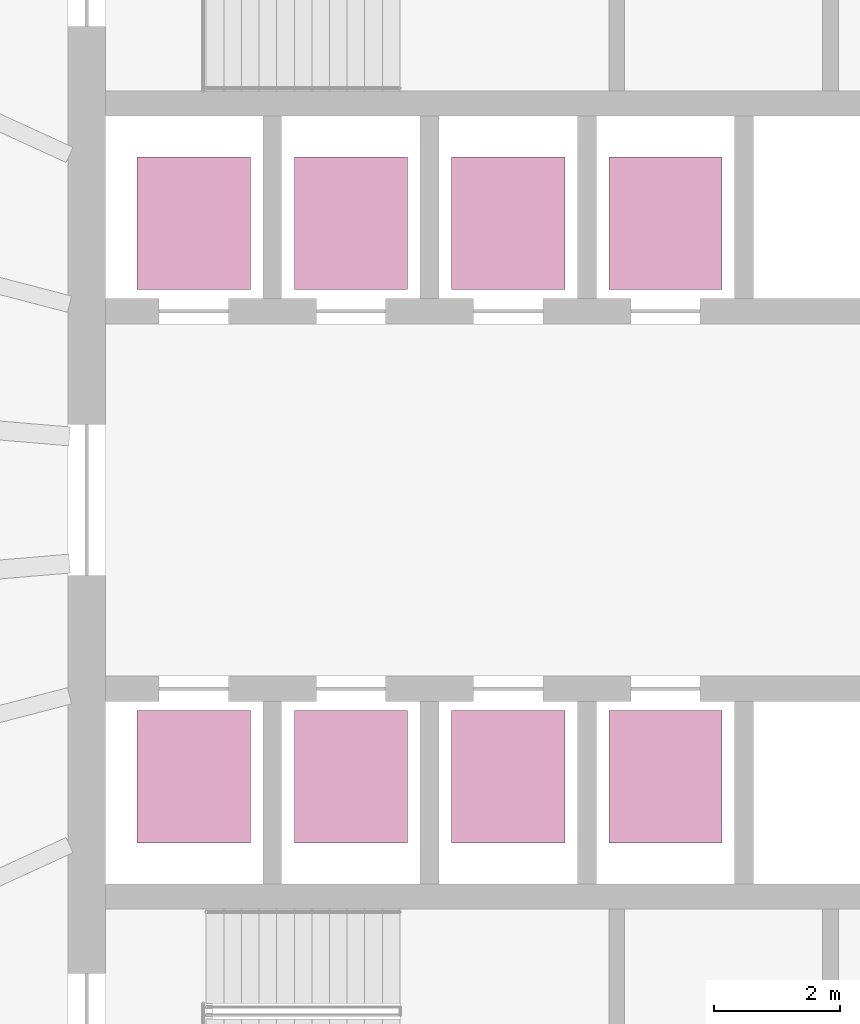
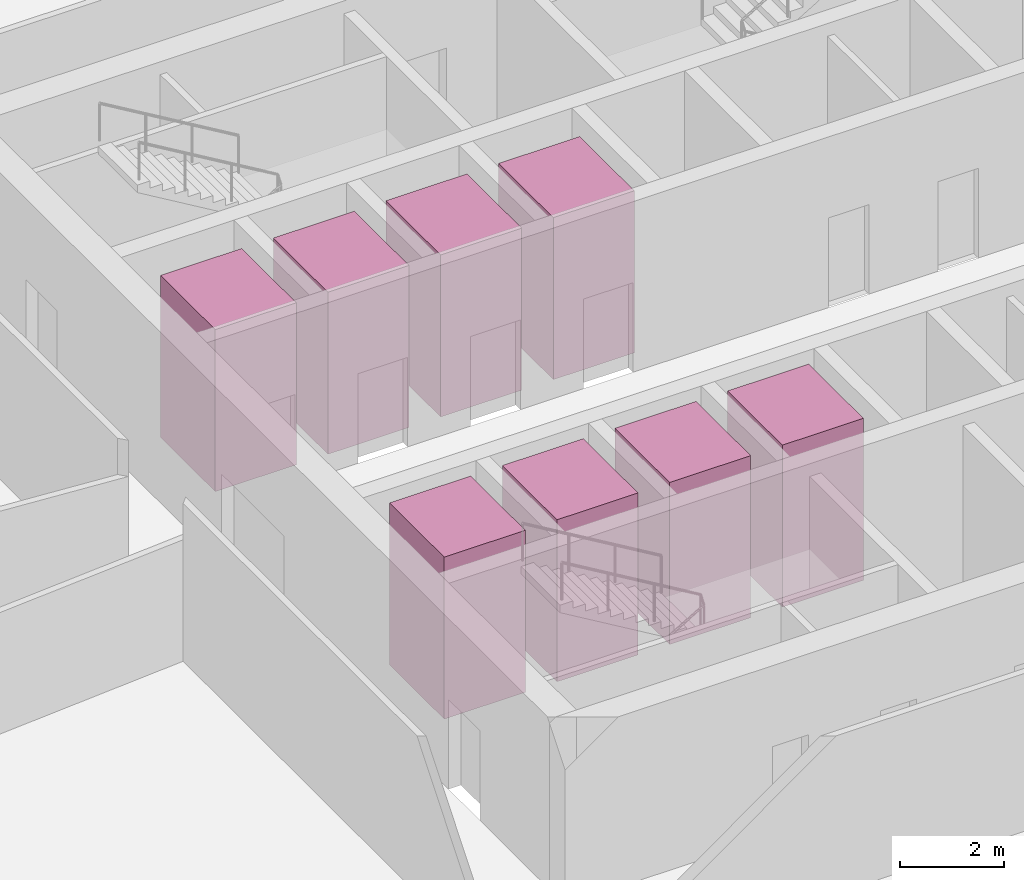
# One storey, part 10 of 10: 8 transport elements.
"""IFC4 building model written with IfcOpenShell, lengths in metres."""

import ifcopenshell
import ifcopenshell.guid

model = None  # the IFC model being written
_history = None  # IfcOwnerHistory: only IFC2X3 demands one
_inside = {}  # id of a spatial element -> (the spatial element, [elements in it])
_under = {}  # id of a project, library or spatial element -> (it, [spatial elements below it])
_declared = {}  # id of a project -> (the project, [libraries it declares])
_typed = {}  # id of a type object -> (the type object, [elements of that type])
_made_of = {}  # id of a material, layer set ... -> (it, [elements and type objects made of it])


def new_model(schema):
    """Start an empty IFC model of exactly this schema.

    Asked for "IFC4X3", IfcOpenShell would pick the latest addendum, in which some entities
    have other attributes; the version numbers below select the first issue.
    IFC2X3 requires an IfcOwnerHistory on every rooted entity: one is made here for all.
    """
    global model, _history
    if schema == "IFC4X3":
        model = ifcopenshell.file(schema_version=(4, 3, 0, 0))
    else:
        model = ifcopenshell.file(schema=schema)
    _inside.clear()
    _under.clear()
    _declared.clear()
    _typed.clear()
    _made_of.clear()
    _history = None
    if model.schema == "IFC2X3":
        org = make("IfcOrganization", Name="unknown")
        user = make(
            "IfcPersonAndOrganization",
            ThePerson=make("IfcPerson", FamilyName="unknown"),
            TheOrganization=org,
        )
        app = make(
            "IfcApplication",
            ApplicationDeveloper=org,
            Version="unknown",
            ApplicationFullName="unknown",
            ApplicationIdentifier="unknown",
        )
        _history = make(
            "IfcOwnerHistory",
            OwningUser=user,
            OwningApplication=app,
            ChangeAction="ADDED",
            CreationDate=0,
        )
    return model


def make(cls, **values):
    """One entity of the class cls with the attributes given. An attribute that is None is left unset."""
    return model.create_entity(
        cls, **{name: value for name, value in values.items() if value is not None}
    )


def rooted(cls, **values):
    """An entity with a GlobalId (a new one), such as an element, a storey or a relation."""
    return make(cls, GlobalId=ifcopenshell.guid.new(), OwnerHistory=_history, **values)


def si_unit(unit_type, name, prefix=None):
    """IfcSIUnit, for example si_unit("LENGTHUNIT", "METRE", prefix="MILLI")."""
    return make("IfcSIUnit", UnitType=unit_type, Prefix=prefix, Name=name)


def assignment(units):
    """IfcUnitAssignment: the units of a project."""
    return None if units is None else make("IfcUnitAssignment", Units=units)


def point(xyz):
    """IfcCartesianPoint."""
    return None if xyz is None else make("IfcCartesianPoint", Coordinates=xyz)


def direction(xyz):
    """IfcDirection."""
    return None if xyz is None else make("IfcDirection", DirectionRatios=xyz)


def frame(location, z_axis=None, x_axis=None):
    """IfcAxis2Placement3D, a coordinate frame: its origin and axes. An axis left out is left unset."""
    return make(
        "IfcAxis2Placement3D",
        Location=point(location),
        Axis=direction(z_axis),
        RefDirection=direction(x_axis),
    )


def frame_2d(location, x_axis=None):
    """IfcAxis2Placement2D, a coordinate frame in the plane: its origin and x axis."""
    return make(
        "IfcAxis2Placement2D", Location=point(location), RefDirection=direction(x_axis)
    )


def origin():
    """The frame at (0, 0, 0) with its axes left unset."""
    return frame((0.0, 0.0, 0.0))


def origin_2d():
    """The frame at (0, 0) in the plane with its x axis left unset."""
    return frame_2d((0.0, 0.0))


def place(relative_to, where):
    """IfcLocalPlacement: puts the frame where relative to a parent placement (None: the world)."""
    return make(
        "IfcLocalPlacement", PlacementRelTo=relative_to, RelativePlacement=where
    )


def context(
    kind, dimensions, precision=None, world=None, true_north=None, identifier=None
):
    """IfcGeometricRepresentationContext, for example the 3D "Model" context."""
    return make(
        "IfcGeometricRepresentationContext",
        ContextIdentifier=identifier,
        ContextType=kind,
        CoordinateSpaceDimension=dimensions,
        Precision=precision,
        WorldCoordinateSystem=world,
        TrueNorth=true_north,
    )


def subcontext(parent, identifier, kind, view, scale=None):
    """IfcGeometricRepresentationSubContext, for example "Body" below "Model"."""
    return make(
        "IfcGeometricRepresentationSubContext",
        ContextIdentifier=identifier,
        ContextType=kind,
        ParentContext=parent,
        TargetScale=scale,
        TargetView=view,
    )


def project(units=None, contexts=None):
    """IfcProject with its units and contexts."""
    return rooted(
        "IfcProject",
        Name="project",
        RepresentationContexts=contexts,
        UnitsInContext=assignment(units),
    )


def spatial(cls, under=None, at=None, **own):
    """A site, building, storey or space (cls), placed at a placement, below another one or the project."""
    s = rooted(cls, ObjectPlacement=at, **own)
    if under is not None:
        _under.setdefault(under.id(), (under, []))[1].append(s)
    return s


def profile(cls, at=None, kind="AREA", **sizes):
    """A parametric profile (cls). Its sizes go by their IFC names, for example OverallWidth=200.0."""
    return make(cls, ProfileType=kind, Position=at, **sizes)


def rectangle(**sizes):
    """IfcRectangleProfileDef."""
    return profile("IfcRectangleProfileDef", **sizes)


def extrude(swept, where, along, depth):
    """IfcExtrudedAreaSolid: the profile swept, set in the frame where, extruded along a direction by depth."""
    return make(
        "IfcExtrudedAreaSolid",
        SweptArea=swept,
        Position=where,
        ExtrudedDirection=direction(along),
        Depth=depth,
    )


def shape(context_of_items, identifier, shape_type, items):
    """IfcShapeRepresentation: the items that make up one representation, for example the "Body"."""
    return make(
        "IfcShapeRepresentation",
        ContextOfItems=context_of_items,
        RepresentationIdentifier=identifier,
        RepresentationType=shape_type,
        Items=items,
    )


def material(Name=None, Category=None):
    """IfcMaterial."""
    return make("IfcMaterial", Name=Name, Category=Category)


def made_of(thing, what):
    """Note that an element or type object is made of a material, layer set ...; save() writes the relation."""
    if what is not None:
        _made_of.setdefault(what.id(), (what, []))[1].append(thing)
    return thing


def type_object(cls, material=None, **own):
    """A type object (cls), such as IfcWallType, which elements share."""
    return made_of(rooted(cls, **own), material)


def element(
    cls,
    number,
    at=None,
    inside=None,
    cuts=None,
    type_object=None,
    material=None,
    context=None,
    identifier="Body",
    shape_type=None,
    held_by="IfcProductDefinitionShape",
    body=None,
    shapes=None,
    **own,
):
    """One element of the class cls, such as IfcWall. Its Tag is "e" and its number.

    at: its placement. inside: the storey or other place that contains it. cuts: it is an
    opening in that element (IfcRelVoidsElement). A single representation is given by context,
    identifier, shape_type and body (its items); several are given by shapes. held_by: the class
    of the entity that holds the representations. save() writes the other relations.
    """
    e = rooted(cls, Tag="e%d" % number, ObjectPlacement=at, **own)
    if body is not None:
        shapes = [shape(context, identifier, shape_type, body)]
    if shapes is not None:
        e.Representation = make(held_by, Representations=shapes)
    if inside is not None:
        _inside.setdefault(inside.id(), (inside, []))[1].append(e)
    if cuts is not None:
        rooted(
            "IfcRelVoidsElement", RelatingBuildingElement=cuts, RelatedOpeningElement=e
        )
    if type_object is not None:
        _typed.setdefault(type_object.id(), (type_object, []))[1].append(e)
    return made_of(e, material)


def aggregate(whole, parts):
    """IfcRelAggregates: a whole, such as a stair, and the parts it consists of."""
    return rooted("IfcRelAggregates", RelatingObject=whole, RelatedObjects=parts)


def save(model, path):
    """Write the relations noted so far, then the file.

    IfcRelAggregates (storeys below a building ...), IfcRelContainedInSpatialStructure (elements
    in a storey), IfcRelDefinesByType, IfcRelAssociatesMaterial and IfcRelDeclares: one each for
    every whole, place, type object, material and project.
    """
    for whole, parts in _under.values():
        aggregate(whole, parts)
    for where, things in _inside.values():
        rooted(
            "IfcRelContainedInSpatialStructure",
            RelatedElements=things,
            RelatingStructure=where,
        )
    for kind, things in _typed.values():
        rooted("IfcRelDefinesByType", RelatedObjects=things, RelatingType=kind)
    for what, things in _made_of.values():
        rooted("IfcRelAssociatesMaterial", RelatedObjects=things, RelatingMaterial=what)
    for by, libraries in _declared.values():
        rooted("IfcRelDeclares", RelatingContext=by, RelatedDefinitions=libraries)
    model.write(path)


model = new_model("IFC4")

# Units and contexts
model_context = context("Model", 3, precision=1e-05, world=origin(), true_north=direction((0.0, 1.0)))
body_context = subcontext(model_context, "Body", "Model", "MODEL_VIEW")
ifc_project = project(units=[si_unit("LENGTHUNIT", "METRE"), si_unit("AREAUNIT", "SQUARE_METRE"), si_unit("VOLUMEUNIT", "CUBIC_METRE"), si_unit("PLANEANGLEUNIT", "RADIAN"), si_unit("MASSUNIT", "GRAM", prefix="KILO")], contexts=[model_context])

# Site, building, storey
site_placement = place(None, origin())
site = spatial("IfcSite", under=ifc_project, at=site_placement, CompositionType="ELEMENT")
building_placement = place(site_placement, origin())
building = spatial("IfcBuilding", under=site, at=building_placement, Name="Halqa Exchange Tower", CompositionType="ELEMENT")
storey_placement = place(building_placement, frame((0.0, 0.0, 238.89990234375)))
storey = spatial("IfcBuildingStorey", under=building, at=storey_placement, Name="L55", CompositionType="ELEMENT", Elevation=238.89990234375)

# Transport elements
ifc_material = material(Name="Stainless steel", Category="steel")
transport_element_type_1 = type_object("IfcTransportElementType", Name="High-rise passenger lift 1800 x 2100", PredefinedType="ELEVATOR", material=ifc_material)
for number, where, z_axis, x_axis, name in (
    (1, (-10.0, 4.39990234375, 0.0), (0.0, 0.0, 1.0), (1.0, 0.0, 0.0), "High-rise passenger lift HR1"),
    (2, (-7.5, 4.39990234375, 0.0), (0.0, 0.0, 1.0), (1.0, 0.0, 0.0), "High-rise passenger lift HR2"),
    (3, (-10.0, -4.39990234375, 0.0), (0.0, 0.0, 1.0), (1.0, 0.0, 0.0), "High-rise passenger lift HR3"),
    (4, (-7.5, -4.39990234375, 0.0), (0.0, 0.0, 1.0), (1.0, 0.0, 0.0), "High-rise passenger lift HR4"),
):
    element("IfcTransportElement", number, at=place(storey_placement, frame(where, z_axis=z_axis, x_axis=x_axis)), inside=storey, type_object=transport_element_type_1, Name=name, PredefinedType="ELEVATOR", context=body_context, shape_type="SweptSolid", body=[
        extrude(rectangle(XDim=1.800048828125, YDim=2.10009765625, at=origin_2d()), origin(), (0.0, 0.0, 1.0), 3.800048828125),
    ])
transport_element_type_2 = type_object("IfcTransportElementType", Name="Mid-rise passenger lift 1800 x 2100", PredefinedType="ELEVATOR", material=ifc_material)
for number, where, z_axis, x_axis, name in (
    (5, (-5.0, 4.39990234375, 0.0), (0.0, 0.0, 1.0), (1.0, 0.0, 0.0), "Mid-rise passenger lift MR1"),
    (6, (-2.5, 4.39990234375, 0.0), (0.0, 0.0, 1.0), (1.0, 0.0, 0.0), "Mid-rise passenger lift MR2"),
    (7, (-5.0, -4.39990234375, 0.0), (0.0, 0.0, 1.0), (1.0, 0.0, 0.0), "Mid-rise passenger lift MR3"),
    (8, (-2.5, -4.39990234375, 0.0), (0.0, 0.0, 1.0), (1.0, 0.0, 0.0), "Mid-rise passenger lift MR4"),
):
    element("IfcTransportElement", number, at=place(storey_placement, frame(where, z_axis=z_axis, x_axis=x_axis)), inside=storey, type_object=transport_element_type_2, Name=name, PredefinedType="ELEVATOR", context=body_context, shape_type="SweptSolid", body=[
        extrude(rectangle(XDim=1.800048828125, YDim=2.10009765625, at=origin_2d()), origin(), (0.0, 0.0, 1.0), 3.800048828125),
    ])

save(model, "model.ifc")
